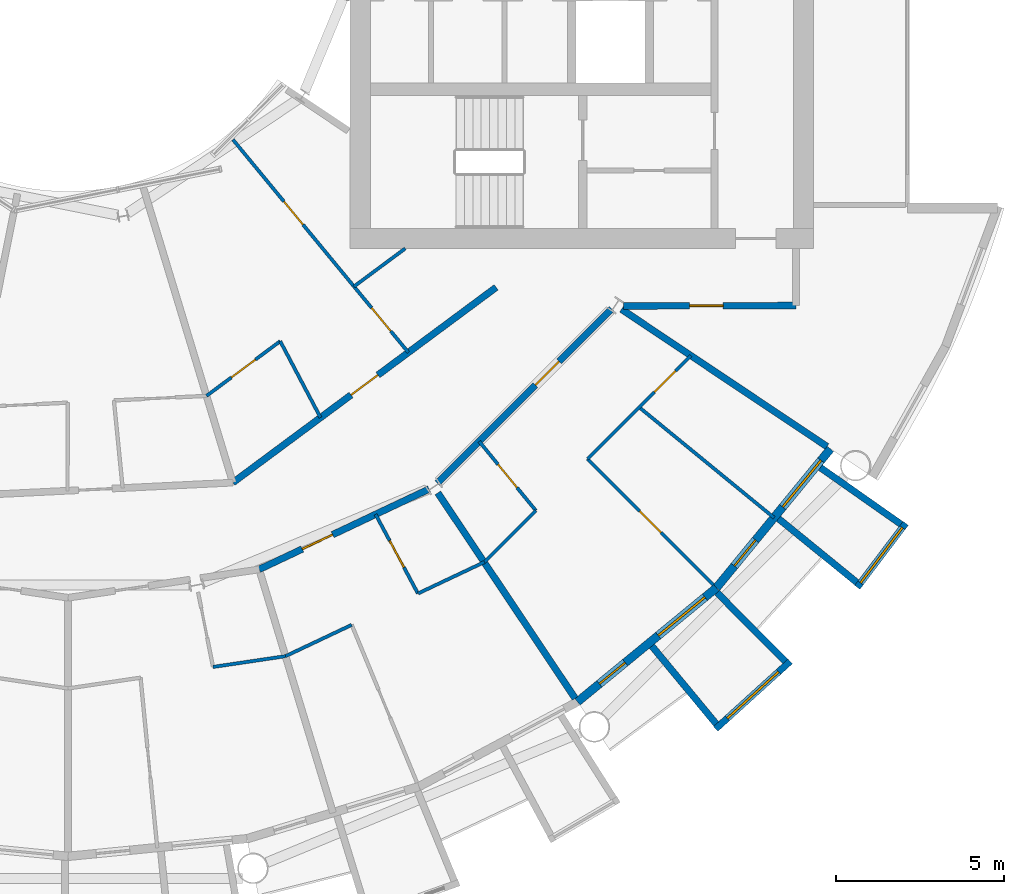
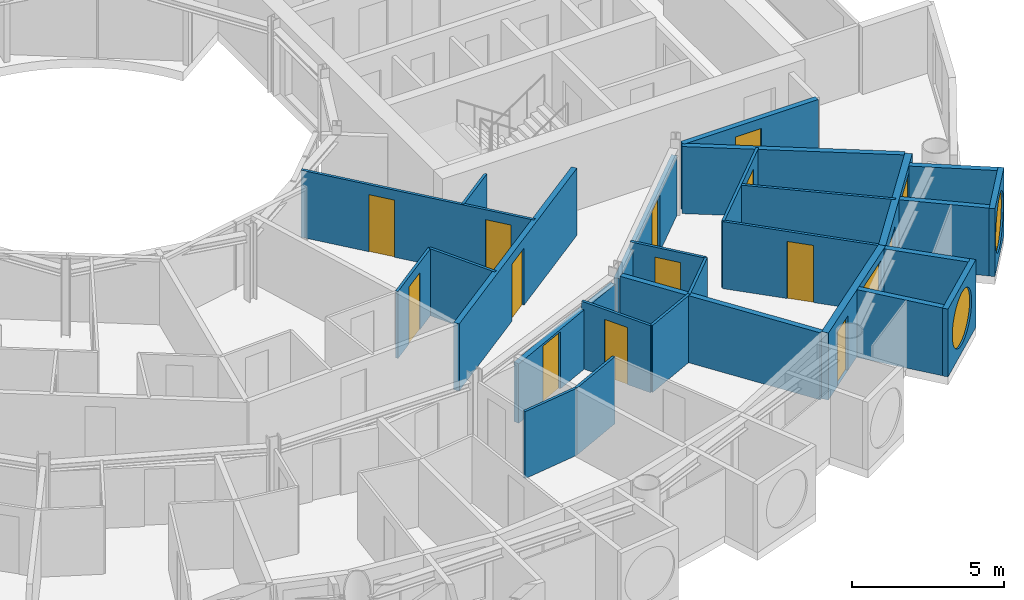
# One storey, part 17 of 26: 27 walls, 13 doors, 4 windows, 17 openings.
"""IFC4 building model written with IfcOpenShell, lengths in metres."""

from ifc_helpers import new_model, si_unit, direction, frame, frame_2d, origin, place, context, subcontext, project, spatial, rectangle, circle, extrude, material, layer, layer_set, type_object, element, fill, save


model = new_model("IFC4")

# Units and contexts
model_context = context("Model", 3, precision=1e-05, world=origin(), true_north=direction((0.0, 1.0)))
body_context = subcontext(model_context, "Body", "Model", "MODEL_VIEW")
ifc_project = project(units=[si_unit("LENGTHUNIT", "METRE"), si_unit("AREAUNIT", "SQUARE_METRE"), si_unit("VOLUMEUNIT", "CUBIC_METRE"), si_unit("PLANEANGLEUNIT", "RADIAN"), si_unit("MASSUNIT", "GRAM", prefix="KILO")], contexts=[model_context])

# Site, building, storey
site_placement = place(None, origin())
site = spatial("IfcSite", under=ifc_project, at=site_placement, CompositionType="ELEMENT")
building_placement = place(site_placement, origin())
building = spatial("IfcBuilding", under=site, at=building_placement, Name="Maasbend Ring Residences", CompositionType="ELEMENT")
storey_placement = place(building_placement, frame((0.0, 0.0, 123.85009765625)))
storey = spatial("IfcBuildingStorey", under=building, at=storey_placement, Name="L35", CompositionType="ELEMENT", Elevation=123.85009765625)

# Wall, opening, door
ifc_material_1 = material(Name="Concrete C30/37", Category="concrete")
ifc_layer_1 = layer(ifc_material_1, 0.199951171875)
ifc_layer_set_1 = layer_set([ifc_layer_1], Name="Concrete C30/37")
wall_type_1 = type_object("IfcWallType", Name="CORRIDOR WALL 200 CONCRETE", PredefinedType="PARTITIONING", material=ifc_layer_set_1)
wall_1_placement = place(storey_placement, frame((5.68994140625, -18.756103515625, 0.0), z_axis=(0.0, 0.0, 1.0), x_axis=(0.903968655954, 0.427598724335, 0.0)))
wall_1 = element("IfcWall", 1, at=wall_1_placement, inside=storey, type_object=wall_type_1, Name="U-L35-w020", PredefinedType="PARTITIONING", context=body_context, shape_type="SweptSolid", body=[
    extrude(rectangle(XDim=5.596435546875, YDim=0.199951171875, at=frame_2d((2.79833984375, 0.0))), origin(), (0.0, 0.0, 1.0), 2.389892578125),
])
opening_1_placement = place(wall_1_placement, frame((1.41796875, 0.0, 0.0)))
opening_1 = element("IfcOpeningElement", 2, at=opening_1_placement, cuts=wall_1, Name="Opening D-3545", PredefinedType="OPENING", context=body_context, shape_type="SweptSolid", body=[
    extrude(rectangle(XDim=1.0, YDim=2.300048828125, at=frame_2d((0.5, 1.14990234375))), frame((0.0, 0.10986328125, 0.0), z_axis=(0.0, -1.0, 0.0), x_axis=(1.0, 0.0, 0.0)), (0.0, 0.0, 1.0), 0.219970703125),
])
ifc_material_2 = material(Name="Timber, fire-rated, painted", Category="wood")
door_type_1 = type_object("IfcDoorType", Name="FLAT ENTRANCE DOOR 1000 X 2300 FIRE-RATED", OperationType="NOTDEFINED", PredefinedType="DOOR", material=ifc_material_2)
door_1_placement = place(opening_1_placement, origin())
door_1 = element("IfcDoor", 3, at=door_1_placement, inside=storey, type_object=door_type_1, Name="D-3545", OperationType="SINGLE_SWING_LEFT", OverallHeight=2.300048828125, OverallWidth=1.0, PredefinedType="DOOR", context=body_context, shape_type="SweptSolid", body=[
    extrude(rectangle(XDim=1.0, YDim=2.300048828125, at=frame_2d((0.5, 1.14990234375))), frame((0.0, 0.02490234375, 0.0), z_axis=(0.0, -1.0, 0.0), x_axis=(1.0, 0.0, 0.0)), (0.0, 0.0, 1.0), 0.050048828125),
])
fill(opening_1, door_1)

wall_2_placement = place(storey_placement, frame((11.0, -16.18603515625, 0.0), z_axis=(0.0, 0.0, 1.0), x_axis=(0.707106781187, 0.707106781187, 0.0)))
wall_2 = element("IfcWall", 4, at=wall_2_placement, inside=storey, type_object=wall_type_1, Name="U-L35-w022", PredefinedType="PARTITIONING", context=body_context, shape_type="SweptSolid", body=[
    extrude(rectangle(XDim=7.334228515625, YDim=0.199951171875, at=frame_2d((3.6669921875, 0.0))), origin(), (0.0, 0.0, 1.0), 2.389892578125),
])
opening_2_placement = place(wall_2_placement, frame((4.123046875, 0.0, 0.0)))
opening_2 = element("IfcOpeningElement", 5, at=opening_2_placement, cuts=wall_2, Name="Opening D-3548", PredefinedType="OPENING", context=body_context, shape_type="SweptSolid", body=[
    extrude(rectangle(XDim=1.0, YDim=2.300048828125, at=frame_2d((0.5, 1.14990234375))), frame((0.0, 0.10986328125, 0.0), z_axis=(0.0, -1.0, 0.0), x_axis=(1.0, 0.0, 0.0)), (0.0, 0.0, 1.0), 0.219970703125),
])
door_2_placement = place(opening_2_placement, origin())
door_2 = element("IfcDoor", 6, at=door_2_placement, inside=storey, type_object=door_type_1, Name="D-3548", OperationType="SINGLE_SWING_RIGHT", OverallHeight=2.300048828125, OverallWidth=1.0, PredefinedType="DOOR", context=body_context, shape_type="SweptSolid", body=[
    extrude(rectangle(XDim=1.0, YDim=2.300048828125, at=frame_2d((0.5, 1.14990234375))), frame((0.0, 0.02490234375, 0.0), z_axis=(0.0, -1.0, 0.0), x_axis=(1.0, 0.0, 0.0)), (0.0, 0.0, 1.0), 0.050048828125),
])
fill(opening_2, door_2)

wall_3_placement = place(storey_placement, frame((4.906005859375, -16.172119140625, 0.0), z_axis=(0.0, 0.0, 1.0), x_axis=(0.803191461888, 0.595720971219, 0.0)))
wall_3 = element("IfcWall", 7, at=wall_3_placement, inside=storey, type_object=wall_type_1, Name="U-L35-w024", PredefinedType="PARTITIONING", context=body_context, shape_type="SweptSolid", body=[
    extrude(rectangle(XDim=9.760009765625, YDim=0.199951171875, at=frame_2d((4.8798828125, 0.0))), origin(), (0.0, 0.0, 1.0), 2.699951171875),
])
opening_3_placement = place(wall_3_placement, frame((4.3798828125, 0.0, 0.0)))
opening_3 = element("IfcOpeningElement", 8, at=opening_3_placement, cuts=wall_3, Name="Opening D-3559", PredefinedType="OPENING", context=body_context, shape_type="SweptSolid", body=[
    extrude(rectangle(XDim=1.0, YDim=2.300048828125, at=frame_2d((0.5, 1.14990234375))), frame((0.0, 0.10986328125, 0.0), z_axis=(0.0, -1.0, 0.0), x_axis=(1.0, 0.0, 0.0)), (0.0, 0.0, 1.0), 0.219970703125),
])
door_3_placement = place(opening_3_placement, origin())
door_3 = element("IfcDoor", 9, at=door_3_placement, inside=storey, type_object=door_type_1, Name="D-3559", OperationType="SINGLE_SWING_LEFT", OverallHeight=2.300048828125, OverallWidth=1.0, PredefinedType="DOOR", context=body_context, shape_type="SweptSolid", body=[
    extrude(rectangle(XDim=1.0, YDim=2.300048828125, at=frame_2d((0.5, 1.14990234375))), frame((0.0, 0.02490234375, 0.0), z_axis=(0.0, -1.0, 0.0), x_axis=(1.0, 0.0, 0.0)), (0.0, 0.0, 1.0), 0.050048828125),
])
fill(opening_3, door_3)

wall_4_placement = place(storey_placement, frame((16.541015625, -10.912109375, 0.0), z_axis=(0.0, 0.0, 1.0), x_axis=(0.999997173357, 0.002377662213, 0.0)))
wall_4 = element("IfcWall", 10, at=wall_4_placement, inside=storey, type_object=wall_type_1, Name="U-L35-w033", PredefinedType="PARTITIONING", context=body_context, shape_type="SweptSolid", body=[
    extrude(rectangle(XDim=5.134033203125, YDim=0.199951171875, at=frame_2d((2.56689453125, 0.0))), origin(), (0.0, 0.0, 1.0), 2.699951171875),
])
opening_4_placement = place(wall_4_placement, frame((1.962890625, 0.0, 0.0)))
opening_4 = element("IfcOpeningElement", 11, at=opening_4_placement, cuts=wall_4, Name="Opening D-3565", PredefinedType="OPENING", context=body_context, shape_type="SweptSolid", body=[
    extrude(rectangle(XDim=1.0, YDim=2.300048828125, at=frame_2d((0.5, 1.14990234375))), frame((0.0, 0.10986328125, 0.0), z_axis=(0.0, -1.0, 0.0), x_axis=(1.0, 0.0, 0.0)), (0.0, 0.0, 1.0), 0.219970703125),
])
ifc_material_3 = material(Name="Timber, painted", Category="wood")
door_type_2 = type_object("IfcDoorType", Name="ROOM DOOR 1000 X 2300", OperationType="NOTDEFINED", PredefinedType="DOOR", material=ifc_material_3)
door_4_placement = place(opening_4_placement, origin())
door_4 = element("IfcDoor", 12, at=door_4_placement, inside=storey, type_object=door_type_2, Name="D-3565", OperationType="SINGLE_SWING_LEFT", OverallHeight=2.300048828125, OverallWidth=1.0, PredefinedType="DOOR", context=body_context, shape_type="SweptSolid", body=[
    extrude(rectangle(XDim=1.0, YDim=2.300048828125, at=frame_2d((0.5, 1.14990234375))), frame((0.0, 0.02490234375, 0.0), z_axis=(0.0, -1.0, 0.0), x_axis=(1.0, 0.0, 0.0)), (0.0, 0.0, 1.0), 0.050048828125),
])
fill(opening_4, door_4)

# Wall, opening, window
ifc_material_4 = material(Name="Pale anodised aluminium panel", Category="aluminium")
ifc_layer_2 = layer(ifc_material_4, 0.199951171875)
ifc_layer_set_2 = layer_set([ifc_layer_2], Name="EW-BOX")
wall_type_2 = type_object("IfcWallType", Name="EW-BOX", PredefinedType="SOLIDWALL", material=ifc_layer_set_2)
wall_5_placement = place(storey_placement, frame((19.281982421875, -23.5029296875, -0.030029296875), z_axis=(0.0, 0.0, 1.0), x_axis=(0.740998365753, 0.671506829416, 0.0)))
wall_5 = element("IfcWall", 13, at=wall_5_placement, inside=storey, type_object=wall_type_2, Name="Box front S18", PredefinedType="SOLIDWALL", context=body_context, shape_type="SweptSolid", body=[
    extrude(rectangle(XDim=2.9931640625, YDim=0.199951171875, at=frame_2d((1.49658203125, 0.0))), origin(), (0.0, 0.0, 1.0), 2.72998046875),
])
opening_5_placement = place(wall_5_placement, frame((0.45654296875, 0.0, 0.330078125)))
opening_5 = element("IfcOpeningElement", 14, at=opening_5_placement, cuts=wall_5, Name="Opening W-RD", PredefinedType="OPENING", context=body_context, shape_type="SweptSolid", body=[
    extrude(circle(Radius=1.0400390625, at=frame_2d((1.0400390625, 1.0400390625))), frame((0.0, 0.10986328125, 0.0), z_axis=(0.0, -1.0, 0.0), x_axis=(1.0, 0.0, 0.0)), (0.0, 0.0, 1.0), 0.219970703125),
])
ifc_material_5 = material(Name="Aluminium and clear glass", Category="aluminium")
window_type_1 = type_object("IfcWindowType", Name="W-RD", PartitioningType="SINGLE_PANEL", PredefinedType="WINDOW", material=ifc_material_5)
window_1_placement = place(opening_5_placement, origin())
window_1 = element("IfcWindow", 15, at=window_1_placement, inside=storey, type_object=window_type_1, Name="Round window S18", OverallHeight=2.080078125, OverallWidth=2.080078125, PartitioningType="SINGLE_PANEL", PredefinedType="WINDOW", context=body_context, shape_type="SweptSolid", body=[
    extrude(circle(Radius=1.0400390625, at=frame_2d((1.0400390625, 1.0400390625))), frame((0.0, 0.030029296875, 0.0), z_axis=(0.0, -1.0, 0.0), x_axis=(1.0, 0.0, 0.0)), (0.0, 0.0, 1.0), 0.06005859375),
])
fill(opening_5, window_1)

# Walls
wall_6_placement = place(storey_placement, frame((17.384033203125, -21.041015625, -0.030029296875), z_axis=(0.0, 0.0, 1.0), x_axis=(0.63709551667, -0.770784861449, 0.0)))
element("IfcWall", 16, at=wall_6_placement, inside=storey, type_object=wall_type_2, Name="Box side wall S18 left", PredefinedType="SOLIDWALL", context=body_context, shape_type="SweptSolid", body=[
    extrude(rectangle(XDim=3.005859375, YDim=0.199951171875, at=frame_2d((1.5029296875, 0.0))), origin(), (0.0, 0.0, 1.0), 2.72998046875),
])
wall_7_placement = place(storey_placement, frame((19.322998046875, -19.449951171875, -0.030029296875), z_axis=(0.0, 0.0, 1.0), x_axis=(0.704476739375, -0.709727076896, 0.0)))
element("IfcWall", 17, at=wall_7_placement, inside=storey, type_object=wall_type_2, Name="Box side wall S18 right", PredefinedType="SOLIDWALL", context=body_context, shape_type="SweptSolid", body=[
    extrude(rectangle(XDim=2.883056640625, YDim=0.199951171875, at=frame_2d((1.44140625, 0.0))), origin(), (0.0, 0.0, 1.0), 2.72998046875),
])

# Wall, opening, window
wall_8_placement = place(storey_placement, frame((23.4970703125, -19.2890625, -0.030029296875), z_axis=(0.0, 0.0, 1.0), x_axis=(0.603375996329, 0.797456837111, 0.0)))
wall_8 = element("IfcWall", 18, at=wall_8_placement, inside=storey, type_object=wall_type_2, Name="Box front S20", PredefinedType="SOLIDWALL", context=body_context, shape_type="SweptSolid", body=[
    extrude(rectangle(XDim=2.391357421875, YDim=0.199951171875, at=frame_2d((1.19580078125, 0.0))), origin(), (0.0, 0.0, 1.0), 2.72998046875),
])
opening_6_placement = place(wall_8_placement, frame((0.15576171875, 0.0, 0.330078125)))
opening_6 = element("IfcOpeningElement", 19, at=opening_6_placement, cuts=wall_8, Name="Opening W-RD", PredefinedType="OPENING", context=body_context, shape_type="SweptSolid", body=[
    extrude(circle(Radius=1.0400390625, at=frame_2d((1.0400390625, 1.0400390625))), frame((0.0, 0.10986328125, 0.0), z_axis=(0.0, -1.0, 0.0), x_axis=(1.0, 0.0, 0.0)), (0.0, 0.0, 1.0), 0.219970703125),
])
window_2_placement = place(opening_6_placement, origin())
window_2 = element("IfcWindow", 20, at=window_2_placement, inside=storey, type_object=window_type_1, Name="Round window S20", OverallHeight=2.080078125, OverallWidth=2.080078125, PartitioningType="SINGLE_PANEL", PredefinedType="WINDOW", context=body_context, shape_type="SweptSolid", body=[
    extrude(circle(Radius=1.0400390625, at=frame_2d((1.0400390625, 1.0400390625))), frame((0.0, 0.030029296875, 0.0), z_axis=(0.0, -1.0, 0.0), x_axis=(1.0, 0.0, 0.0)), (0.0, 0.0, 1.0), 0.06005859375),
])
fill(opening_6, window_2)

# Walls
wall_9_placement = place(storey_placement, frame((21.155029296875, -17.24609375, -0.030029296875), z_axis=(0.0, 0.0, 1.0), x_axis=(0.775179004516, -0.631741648902, 0.0)))
element("IfcWall", 21, at=wall_9_placement, inside=storey, type_object=wall_type_2, Name="Box side wall S20 left", PredefinedType="SOLIDWALL", context=body_context, shape_type="SweptSolid", body=[
    extrude(rectangle(XDim=3.005859375, YDim=0.199951171875, at=frame_2d((1.5029296875, 0.0))), origin(), (0.0, 0.0, 1.0), 2.72998046875),
])
wall_10_placement = place(storey_placement, frame((22.402099609375, -15.72607421875, -0.030029296875), z_axis=(0.0, 0.0, 1.0), x_axis=(0.818275399393, -0.574826383135, 0.0)))
element("IfcWall", 22, at=wall_10_placement, inside=storey, type_object=wall_type_2, Name="Box side wall S20 right", PredefinedType="SOLIDWALL", context=body_context, shape_type="SweptSolid", body=[
    extrude(rectangle(XDim=2.92919921875, YDim=0.199951171875, at=frame_2d((1.464599609375, 0.0))), origin(), (0.0, 0.0, 1.0), 2.72998046875),
])

# Wall, openings, door, window
ifc_material_6 = material(Name="Aluminium clad insulated panel", Category="aluminium")
ifc_layer_3 = layer(ifc_material_6, 0.25)
ifc_layer_set_3 = layer_set([ifc_layer_3], Name="EW-GL")
wall_type_3 = type_object("IfcWallType", Name="EW-GL", PredefinedType="SOLIDWALL", material=ifc_layer_set_3)
wall_11_placement = place(storey_placement, frame((15.1669921875, -22.698974609375, 0.0), z_axis=(0.0, 0.0, 1.0), x_axis=(0.773019449054, 0.634382322723, 0.0)))
wall_11 = element("IfcWall", 23, at=wall_11_placement, inside=storey, type_object=wall_type_3, Name="External wall S09", PredefinedType="SOLIDWALL", context=body_context, shape_type="SweptSolid", body=[
    extrude(rectangle(XDim=5.351806640625, YDim=0.25, at=frame_2d((2.67578125, 0.0))), origin(), (0.0, 0.0, 1.0), 2.699951171875),
])
opening_7_placement = place(wall_11_placement, frame((0.841064453125, 0.0, 0.0)))
opening_7 = element("IfcOpeningElement", 24, at=opening_7_placement, cuts=wall_11, Name="Opening D-LG", PredefinedType="OPENING", context=body_context, shape_type="SweptSolid", body=[
    extrude(rectangle(XDim=1.0, YDim=2.199951171875, at=frame_2d((0.5, 1.10009765625))), frame((0.0, 0.135009765625, 0.0), z_axis=(0.0, -1.0, 0.0), x_axis=(1.0, 0.0, 0.0)), (0.0, 0.0, 1.0), 0.27001953125),
])
opening_8_placement = place(wall_11_placement, frame((3.110595703125, 0.0, 0.300048828125)))
opening_8 = element("IfcOpeningElement", 25, at=opening_8_placement, cuts=wall_11, Name="Opening W-BX", PredefinedType="OPENING", context=body_context, shape_type="SweptSolid", body=[
    extrude(rectangle(XDim=1.800048828125, YDim=2.10009765625, at=frame_2d((0.89990234375, 1.050048828125))), frame((0.0, 0.135009765625, 0.0), z_axis=(0.0, -1.0, 0.0), x_axis=(1.0, 0.0, 0.0)), (0.0, 0.0, 1.0), 0.27001953125),
])
ifc_material_7 = material(Name="Aluminium and clear glass", Category="aluminium")
door_type_3 = type_object("IfcDoorType", Name="D-LG", OperationType="SINGLE_SWING_LEFT", PredefinedType="DOOR", material=ifc_material_7)
door_5_placement = place(opening_7_placement, origin())
door_5 = element("IfcDoor", 26, at=door_5_placement, inside=storey, type_object=door_type_3, Name="Loggia door S17", OperationType="SINGLE_SWING_LEFT", OverallHeight=2.199951171875, OverallWidth=1.0, PredefinedType="DOOR", context=body_context, shape_type="SweptSolid", body=[
    extrude(rectangle(XDim=1.0, YDim=2.199951171875, at=frame_2d((0.5, 1.10009765625))), frame((0.0, 0.02490234375, 0.0), z_axis=(0.0, -1.0, 0.0), x_axis=(1.0, 0.0, 0.0)), (0.0, 0.0, 1.0), 0.050048828125),
])
fill(opening_7, door_5)
ifc_material_8 = material(Name="Aluminium and clear glass", Category="aluminium")
window_type_2 = type_object("IfcWindowType", Name="W-BX", PartitioningType="DOUBLE_PANEL_VERTICAL", PredefinedType="WINDOW", material=ifc_material_8)
window_3_placement = place(opening_8_placement, origin())
window_3 = element("IfcWindow", 27, at=window_3_placement, inside=storey, type_object=window_type_2, Name="Window S18 room to box", OverallHeight=2.10009765625, OverallWidth=1.800048828125, PartitioningType="SINGLE_PANEL", PredefinedType="WINDOW", context=body_context, shape_type="SweptSolid", body=[
    extrude(rectangle(XDim=1.800048828125, YDim=2.10009765625, at=frame_2d((0.89990234375, 1.050048828125))), frame((0.0, 0.030029296875, 0.0), z_axis=(0.0, -1.0, 0.0), x_axis=(1.0, 0.0, 0.0)), (0.0, 0.0, 1.0), 0.06005859375),
])
fill(opening_8, window_3)

wall_12_placement = place(storey_placement, frame((19.303955078125, -19.303955078125, 0.0), z_axis=(0.0, 0.0, 1.0), x_axis=(0.634382322723, 0.773019449054, 0.0)))
wall_12 = element("IfcWall", 28, at=wall_12_placement, inside=storey, type_object=wall_type_3, Name="External wall S10", PredefinedType="SOLIDWALL", context=body_context, shape_type="SweptSolid", body=[
    extrude(rectangle(XDim=5.351806640625, YDim=0.25, at=frame_2d((2.67578125, 0.0))), origin(), (0.0, 0.0, 1.0), 2.699951171875),
])
opening_9_placement = place(wall_12_placement, frame((0.841064453125, 0.0, 0.0)))
opening_9 = element("IfcOpeningElement", 29, at=opening_9_placement, cuts=wall_12, Name="Opening D-LG", PredefinedType="OPENING", context=body_context, shape_type="SweptSolid", body=[
    extrude(rectangle(XDim=1.0, YDim=2.199951171875, at=frame_2d((0.5, 1.10009765625))), frame((0.0, 0.135009765625, 0.0), z_axis=(0.0, -1.0, 0.0), x_axis=(1.0, 0.0, 0.0)), (0.0, 0.0, 1.0), 0.27001953125),
])
opening_10_placement = place(wall_12_placement, frame((3.110595703125, 0.0, 0.300048828125)))
opening_10 = element("IfcOpeningElement", 30, at=opening_10_placement, cuts=wall_12, Name="Opening W-BX", PredefinedType="OPENING", context=body_context, shape_type="SweptSolid", body=[
    extrude(rectangle(XDim=1.800048828125, YDim=2.10009765625, at=frame_2d((0.89990234375, 1.050048828125))), frame((0.0, 0.135009765625, 0.0), z_axis=(0.0, -1.0, 0.0), x_axis=(1.0, 0.0, 0.0)), (0.0, 0.0, 1.0), 0.27001953125),
])
door_6_placement = place(opening_9_placement, origin())
door_6 = element("IfcDoor", 31, at=door_6_placement, inside=storey, type_object=door_type_3, Name="Loggia door S19", OperationType="SINGLE_SWING_LEFT", OverallHeight=2.199951171875, OverallWidth=1.0, PredefinedType="DOOR", context=body_context, shape_type="SweptSolid", body=[
    extrude(rectangle(XDim=1.0, YDim=2.199951171875, at=frame_2d((0.5, 1.10009765625))), frame((0.0, 0.02490234375, 0.0), z_axis=(0.0, -1.0, 0.0), x_axis=(1.0, 0.0, 0.0)), (0.0, 0.0, 1.0), 0.050048828125),
])
fill(opening_9, door_6)
window_4_placement = place(opening_10_placement, origin())
window_4 = element("IfcWindow", 32, at=window_4_placement, inside=storey, type_object=window_type_2, Name="Window S20 room to box", OverallHeight=2.10009765625, OverallWidth=1.800048828125, PartitioningType="SINGLE_PANEL", PredefinedType="WINDOW", context=body_context, shape_type="SweptSolid", body=[
    extrude(rectangle(XDim=1.800048828125, YDim=2.10009765625, at=frame_2d((0.89990234375, 1.050048828125))), frame((0.0, 0.030029296875, 0.0), z_axis=(0.0, -1.0, 0.0), x_axis=(1.0, 0.0, 0.0)), (0.0, 0.0, 1.0), 0.06005859375),
])
fill(opening_10, window_4)

# Walls
ifc_material_9 = material(Name="Gypsum board on steel studs", Category="steel")
ifc_layer_4 = layer(ifc_material_9, 0.10009765625)
ifc_layer_set_4 = layer_set([ifc_layer_4], Name="PARTITION 100 GYPSUM")
wall_type_4 = type_object("IfcWallType", Name="PARTITION 100 GYPSUM", PredefinedType="PARTITIONING", material=ifc_layer_set_4)
wall_13_placement = place(storey_placement, frame((4.31591796875, -21.659912109375, 0.0), z_axis=(0.0, 0.0, 1.0), x_axis=(0.989185420695, 0.146670390618, 0.0)))
element("IfcWall", 33, at=wall_13_placement, inside=storey, type_object=wall_type_4, Name="U-L35-w006", PredefinedType="PARTITIONING", context=body_context, shape_type="SweptSolid", body=[
    extrude(rectangle(XDim=2.1806640625, YDim=0.10009765625, at=frame_2d((1.09033203125, 0.0))), origin(), (0.0, 0.0, 1.0), 2.699951171875),
])
wall_14_placement = place(storey_placement, frame((6.472900390625, -21.340087890625, 0.0), z_axis=(0.0, 0.0, 1.0), x_axis=(0.903929143338, 0.427682246328, 0.0)))
element("IfcWall", 34, at=wall_14_placement, inside=storey, type_object=wall_type_4, Name="U-L35-w007", PredefinedType="PARTITIONING", context=body_context, shape_type="SweptSolid", body=[
    extrude(rectangle(XDim=2.181884765625, YDim=0.10009765625, at=frame_2d((1.0908203125, 0.0))), origin(), (0.0, 0.0, 1.0), 2.699951171875),
])
wall_15_placement = place(storey_placement, frame((10.425048828125, -19.469970703125, 0.0), z_axis=(0.0, 0.0, 1.0), x_axis=(0.903951937529, 0.427634066274, 0.0)))
element("IfcWall", 35, at=wall_15_placement, inside=storey, type_object=wall_type_4, Name="U-L35-w008", PredefinedType="PARTITIONING", context=body_context, shape_type="SweptSolid", body=[
    extrude(rectangle(XDim=2.181396484375, YDim=0.10009765625, at=frame_2d((1.0908203125, 0.0))), origin(), (0.0, 0.0, 1.0), 2.699951171875),
])
wall_16_placement = place(storey_placement, frame((12.388916015625, -18.5419921875, 0.0), z_axis=(0.0, 0.0, 1.0), x_axis=(0.707106781187, 0.707106781187, 0.0)))
element("IfcWall", 36, at=wall_16_placement, inside=storey, type_object=wall_type_4, Name="U-L35-w011", PredefinedType="PARTITIONING", context=body_context, shape_type="SweptSolid", body=[
    extrude(rectangle(XDim=2.17529296875, YDim=0.10009765625, at=frame_2d((1.087646484375, 0.0))), origin(), (0.0, 0.0, 1.0), 2.699951171875),
])

# Wall, opening, door
wall_17_placement = place(storey_placement, frame((15.468017578125, -15.462890625, 0.0), z_axis=(0.0, 0.0, 1.0), x_axis=(0.707106781187, 0.707106781187, 0.0)))
wall_17 = element("IfcWall", 37, at=wall_17_placement, inside=storey, type_object=wall_type_4, Name="U-L35-w012", PredefinedType="PARTITIONING", context=body_context, shape_type="SweptSolid", body=[
    extrude(rectangle(XDim=4.351318359375, YDim=0.10009765625, at=frame_2d((2.17578125, 0.0))), origin(), (0.0, 0.0, 1.0), 2.699951171875),
])
opening_11_placement = place(wall_17_placement, frame((2.80810546875, 0.0, 0.0)))
opening_11 = element("IfcOpeningElement", 38, at=opening_11_placement, cuts=wall_17, Name="Opening D-3551", PredefinedType="OPENING", context=body_context, shape_type="SweptSolid", body=[
    extrude(rectangle(XDim=0.89990234375, YDim=2.300048828125, at=frame_2d((0.449951171875, 1.14990234375))), frame((0.0, 0.06005859375, 0.0), z_axis=(0.0, -1.0, 0.0), x_axis=(1.0, 0.0, 0.0)), (0.0, 0.0, 1.0), 0.1201171875),
])
ifc_material_10 = material(Name="Timber, painted", Category="wood")
door_type_4 = type_object("IfcDoorType", Name="INTERNAL DOOR 900 X 2300", OperationType="NOTDEFINED", PredefinedType="DOOR", material=ifc_material_10)
door_7_placement = place(opening_11_placement, origin())
door_7 = element("IfcDoor", 39, at=door_7_placement, inside=storey, type_object=door_type_4, Name="D-3551", OperationType="SINGLE_SWING_RIGHT", OverallHeight=2.300048828125, OverallWidth=0.89990234375, PredefinedType="DOOR", context=body_context, shape_type="SweptSolid", body=[
    extrude(rectangle(XDim=0.89990234375, YDim=2.300048828125, at=frame_2d((0.449951171875, 1.14990234375))), frame((0.0, 0.02490234375, 0.0), z_axis=(0.0, -1.0, 0.0), x_axis=(1.0, 0.0, 0.0)), (0.0, 0.0, 1.0), 0.050048828125),
])
fill(opening_11, door_7)

wall_18_placement = place(storey_placement, frame((4.1220703125, -13.589111328125, 0.0), z_axis=(0.0, 0.0, 1.0), x_axis=(0.803128348509, 0.595806055542, 0.0)))
wall_18 = element("IfcWall", 40, at=wall_18_placement, inside=storey, type_object=wall_type_4, Name="U-L35-w028", PredefinedType="PARTITIONING", context=body_context, shape_type="SweptSolid", body=[
    extrude(rectangle(XDim=2.734375, YDim=0.10009765625, at=frame_2d((1.3671875, 0.0))), origin(), (0.0, 0.0, 1.0), 2.699951171875),
])
opening_12_placement = place(wall_18_placement, frame((0.9169921875, 0.0, 0.0)))
opening_12 = element("IfcOpeningElement", 41, at=opening_12_placement, cuts=wall_18, Name="Opening D-3560", PredefinedType="OPENING", context=body_context, shape_type="SweptSolid", body=[
    extrude(rectangle(XDim=0.89990234375, YDim=2.300048828125, at=frame_2d((0.449951171875, 1.14990234375))), frame((0.0, 0.06005859375, 0.0), z_axis=(0.0, -1.0, 0.0), x_axis=(1.0, 0.0, 0.0)), (0.0, 0.0, 1.0), 0.1201171875),
])
door_8_placement = place(opening_12_placement, origin())
door_8 = element("IfcDoor", 42, at=door_8_placement, inside=storey, type_object=door_type_4, Name="D-3560", OperationType="SINGLE_SWING_RIGHT", OverallHeight=2.300048828125, OverallWidth=0.89990234375, PredefinedType="DOOR", context=body_context, shape_type="SweptSolid", body=[
    extrude(rectangle(XDim=0.89990234375, YDim=2.300048828125, at=frame_2d((0.449951171875, 1.14990234375))), frame((0.0, 0.02490234375, 0.0), z_axis=(0.0, -1.0, 0.0), x_axis=(1.0, 0.0, 0.0)), (0.0, 0.0, 1.0), 0.050048828125),
])
fill(opening_12, door_8)

# Wall
wall_19_placement = place(storey_placement, frame((8.512939453125, -10.33203125, 0.0), z_axis=(0.0, 0.0, 1.0), x_axis=(0.803149591038, 0.595777420196, 0.0)))
element("IfcWall", 43, at=wall_19_placement, inside=storey, type_object=wall_type_4, Name="U-L35-w029", PredefinedType="PARTITIONING", context=body_context, shape_type="SweptSolid", body=[
    extrude(rectangle(XDim=1.900146484375, YDim=0.10009765625, at=frame_2d((0.9501953125, 0.0))), origin(), (0.0, 0.0, 1.0), 2.699951171875),
])

# Wall, openings, doors
wall_20_placement = place(storey_placement, frame((4.907958984375, -5.958984375, 0.0), z_axis=(0.0, 0.0, 1.0), x_axis=(0.636105207978, -0.771602335652, 0.0)))
wall_20 = element("IfcWall", 44, at=wall_20_placement, inside=storey, type_object=wall_type_4, Name="U-L35-w076", PredefinedType="PARTITIONING", context=body_context, shape_type="SweptSolid", body=[
    extrude(rectangle(XDim=8.212646484375, YDim=0.10009765625, at=frame_2d((4.1064453125, 0.0))), origin(), (0.0, 0.0, 1.0), 2.699951171875),
])
opening_13_placement = place(wall_20_placement, frame((6.489990234375, 0.0, 0.0)))
opening_13 = element("IfcOpeningElement", 45, at=opening_13_placement, cuts=wall_20, Name="Opening D-3561", PredefinedType="OPENING", context=body_context, shape_type="SweptSolid", body=[
    extrude(rectangle(XDim=0.89990234375, YDim=2.300048828125, at=frame_2d((0.449951171875, 1.14990234375))), frame((0.0, 0.06005859375, 0.0), z_axis=(0.0, -1.0, 0.0), x_axis=(1.0, 0.0, 0.0)), (0.0, 0.0, 1.0), 0.1201171875),
])
opening_14_placement = place(wall_20_placement, frame((2.384033203125, 0.0, 0.0)))
opening_14 = element("IfcOpeningElement", 46, at=opening_14_placement, cuts=wall_20, Name="Opening D-3562", PredefinedType="OPENING", context=body_context, shape_type="SweptSolid", body=[
    extrude(rectangle(XDim=0.89990234375, YDim=2.300048828125, at=frame_2d((0.449951171875, 1.14990234375))), frame((0.0, 0.06005859375, 0.0), z_axis=(0.0, -1.0, 0.0), x_axis=(1.0, 0.0, 0.0)), (0.0, 0.0, 1.0), 0.1201171875),
])
door_9_placement = place(opening_13_placement, origin())
door_9 = element("IfcDoor", 47, at=door_9_placement, inside=storey, type_object=door_type_4, Name="D-3561", OperationType="SINGLE_SWING_RIGHT", OverallHeight=2.300048828125, OverallWidth=0.89990234375, PredefinedType="DOOR", context=body_context, shape_type="SweptSolid", body=[
    extrude(rectangle(XDim=0.89990234375, YDim=2.300048828125, at=frame_2d((0.449951171875, 1.14990234375))), frame((0.0, 0.02490234375, 0.0), z_axis=(0.0, -1.0, 0.0), x_axis=(1.0, 0.0, 0.0)), (0.0, 0.0, 1.0), 0.050048828125),
])
fill(opening_13, door_9)
door_10_placement = place(opening_14_placement, origin())
door_10 = element("IfcDoor", 48, at=door_10_placement, inside=storey, type_object=door_type_4, Name="D-3562", OperationType="SINGLE_SWING_LEFT", OverallHeight=2.300048828125, OverallWidth=0.89990234375, PredefinedType="DOOR", context=body_context, shape_type="SweptSolid", body=[
    extrude(rectangle(XDim=0.89990234375, YDim=2.300048828125, at=frame_2d((0.449951171875, 1.14990234375))), frame((0.0, 0.02490234375, 0.0), z_axis=(0.0, -1.0, 0.0), x_axis=(1.0, 0.0, 0.0)), (0.0, 0.0, 1.0), 0.050048828125),
])
fill(opening_14, door_10)

# Wall
wall_21_placement = place(storey_placement, frame((6.31591796875, -11.9609375, 0.0), z_axis=(0.0, 0.0, 1.0), x_axis=(0.467037016128, -0.884237765291, 0.0)))
element("IfcWall", 49, at=wall_21_placement, inside=storey, type_object=wall_type_4, Name="U-L35-w079", PredefinedType="PARTITIONING", context=body_context, shape_type="SweptSolid", body=[
    extrude(rectangle(XDim=2.57177734375, YDim=0.10009765625, at=frame_2d((1.285888671875, 0.0))), origin(), (0.0, 0.0, 1.0), 2.699951171875),
])

# Wall, opening, door
wall_22_placement = place(storey_placement, frame((9.156005859375, -17.116943359375, 0.0), z_axis=(0.0, 0.0, 1.0), x_axis=(0.471701791767, -0.881758141241, 0.0)))
wall_22 = element("IfcWall", 50, at=wall_22_placement, inside=storey, type_object=wall_type_4, Name="U-L35-w084", PredefinedType="PARTITIONING", context=body_context, shape_type="SweptSolid", body=[
    extrude(rectangle(XDim=2.67333984375, YDim=0.10009765625, at=frame_2d((1.336669921875, 0.0))), origin(), (0.0, 0.0, 1.0), 2.699951171875),
])
opening_15_placement = place(wall_22_placement, frame((0.886962890625, 0.0, 0.0)))
opening_15 = element("IfcOpeningElement", 51, at=opening_15_placement, cuts=wall_22, Name="Opening D-3546", PredefinedType="OPENING", context=body_context, shape_type="SweptSolid", body=[
    extrude(rectangle(XDim=0.89990234375, YDim=2.300048828125, at=frame_2d((0.449951171875, 1.14990234375))), frame((0.0, 0.06005859375, 0.0), z_axis=(0.0, -1.0, 0.0), x_axis=(1.0, 0.0, 0.0)), (0.0, 0.0, 1.0), 0.1201171875),
])
door_11_placement = place(opening_15_placement, origin())
door_11 = element("IfcDoor", 52, at=door_11_placement, inside=storey, type_object=door_type_4, Name="D-3546", OperationType="SINGLE_SWING_LEFT", OverallHeight=2.300048828125, OverallWidth=0.89990234375, PredefinedType="DOOR", context=body_context, shape_type="SweptSolid", body=[
    extrude(rectangle(XDim=0.89990234375, YDim=2.300048828125, at=frame_2d((0.449951171875, 1.14990234375))), frame((0.0, 0.02490234375, 0.0), z_axis=(0.0, -1.0, 0.0), x_axis=(1.0, 0.0, 0.0)), (0.0, 0.0, 1.0), 0.050048828125),
])
fill(opening_15, door_11)

wall_23_placement = place(storey_placement, frame((12.240966796875, -14.945068359375, 0.0), z_axis=(0.0, 0.0, 1.0), x_axis=(0.633582447834, -0.77367517848, 0.0)))
wall_23 = element("IfcWall", 53, at=wall_23_placement, inside=storey, type_object=wall_type_4, Name="U-L35-w088", PredefinedType="PARTITIONING", context=body_context, shape_type="SweptSolid", body=[
    extrude(rectangle(XDim=2.6611328125, YDim=0.10009765625, at=frame_2d((1.33056640625, 0.0))), origin(), (0.0, 0.0, 1.0), 2.699951171875),
])
opening_16_placement = place(wall_23_placement, frame((0.881103515625, 0.0, 0.0)))
opening_16 = element("IfcOpeningElement", 54, at=opening_16_placement, cuts=wall_23, Name="Opening D-3549", PredefinedType="OPENING", context=body_context, shape_type="SweptSolid", body=[
    extrude(rectangle(XDim=0.89990234375, YDim=2.300048828125, at=frame_2d((0.449951171875, 1.14990234375))), frame((0.0, 0.06005859375, 0.0), z_axis=(0.0, -1.0, 0.0), x_axis=(1.0, 0.0, 0.0)), (0.0, 0.0, 1.0), 0.1201171875),
])
door_12_placement = place(opening_16_placement, origin())
door_12 = element("IfcDoor", 55, at=door_12_placement, inside=storey, type_object=door_type_4, Name="D-3549", OperationType="SINGLE_SWING_LEFT", OverallHeight=2.300048828125, OverallWidth=0.89990234375, PredefinedType="DOOR", context=body_context, shape_type="SweptSolid", body=[
    extrude(rectangle(XDim=0.89990234375, YDim=2.300048828125, at=frame_2d((0.449951171875, 1.14990234375))), frame((0.0, 0.02490234375, 0.0), z_axis=(0.0, -1.0, 0.0), x_axis=(1.0, 0.0, 0.0)), (0.0, 0.0, 1.0), 0.050048828125),
])
fill(opening_16, door_12)

wall_24_placement = place(storey_placement, frame((15.465087890625, -15.465087890625, 0.0), z_axis=(0.0, 0.0, 1.0), x_axis=(0.707106781187, -0.707106781187, 0.0)))
wall_24 = element("IfcWall", 56, at=wall_24_placement, inside=storey, type_object=wall_type_4, Name="U-L35-w091", PredefinedType="PARTITIONING", context=body_context, shape_type="SweptSolid", body=[
    extrude(rectangle(XDim=5.3046875, YDim=0.10009765625, at=frame_2d((2.65234375, 0.0))), origin(), (0.0, 0.0, 1.0), 2.699951171875),
])
opening_17_placement = place(wall_24_placement, frame((2.201904296875, 0.0, 0.0)))
opening_17 = element("IfcOpeningElement", 57, at=opening_17_placement, cuts=wall_24, Name="Opening D-3550", PredefinedType="OPENING", context=body_context, shape_type="SweptSolid", body=[
    extrude(rectangle(XDim=0.89990234375, YDim=2.300048828125, at=frame_2d((0.449951171875, 1.14990234375))), frame((0.0, 0.06005859375, 0.0), z_axis=(0.0, -1.0, 0.0), x_axis=(1.0, 0.0, 0.0)), (0.0, 0.0, 1.0), 0.1201171875),
])
door_13_placement = place(opening_17_placement, origin())
door_13 = element("IfcDoor", 58, at=door_13_placement, inside=storey, type_object=door_type_4, Name="D-3550", OperationType="SINGLE_SWING_RIGHT", OverallHeight=2.300048828125, OverallWidth=0.89990234375, PredefinedType="DOOR", context=body_context, shape_type="SweptSolid", body=[
    extrude(rectangle(XDim=0.89990234375, YDim=2.300048828125, at=frame_2d((0.449951171875, 1.14990234375))), frame((0.0, 0.02490234375, 0.0), z_axis=(0.0, -1.0, 0.0), x_axis=(1.0, 0.0, 0.0)), (0.0, 0.0, 1.0), 0.050048828125),
])
fill(opening_17, door_13)

# Walls
wall_25_placement = place(storey_placement, frame((17.00390625, -13.927001953125, 0.0), z_axis=(0.0, 0.0, 1.0), x_axis=(0.773517471898, -0.633774976367, 0.0)))
element("IfcWall", 59, at=wall_25_placement, inside=storey, type_object=wall_type_4, Name="U-L35-w094", PredefinedType="PARTITIONING", context=body_context, shape_type="SweptSolid", body=[
    extrude(rectangle(XDim=5.19580078125, YDim=0.10009765625, at=frame_2d((2.597900390625, 0.0))), origin(), (0.0, 0.0, 1.0), 2.699951171875),
])
ifc_material_11 = material(Name="Concrete C30/37", Category="concrete")
ifc_layer_5 = layer(ifc_material_11, 0.199951171875)
ifc_layer_set_5 = layer_set([ifc_layer_5], Name="Concrete C30/37")
wall_type_5 = type_object("IfcWallType", Name="PARTY WALL 200 CONCRETE", PredefinedType="PARTITIONING", material=ifc_layer_set_5)
wall_26_placement = place(storey_placement, frame((11.009033203125, -16.47705078125, 0.0), z_axis=(0.0, 0.0, 1.0), x_axis=(0.555664536482, -0.831406593008, 0.0)))
element("IfcWall", 60, at=wall_26_placement, inside=storey, type_object=wall_type_5, Name="U-L35-w086", PredefinedType="PARTITIONING", context=body_context, shape_type="SweptSolid", body=[
    extrude(rectangle(XDim=7.3583984375, YDim=0.199951171875, at=frame_2d((3.67919921875, 0.0))), origin(), (0.0, 0.0, 1.0), 2.699951171875),
])
wall_27_placement = place(storey_placement, frame((16.47705078125, -11.009033203125, 0.0), z_axis=(0.0, 0.0, 1.0), x_axis=(0.831467903109, -0.555572791, 0.0)))
element("IfcWall", 61, at=wall_27_placement, inside=storey, type_object=wall_type_5, Name="U-L35-w092", PredefinedType="PARTITIONING", context=body_context, shape_type="SweptSolid", body=[
    extrude(rectangle(XDim=7.35791015625, YDim=0.199951171875, at=frame_2d((3.678955078125, 0.0))), origin(), (0.0, 0.0, 1.0), 2.699951171875),
])

save(model, "model.ifc")
